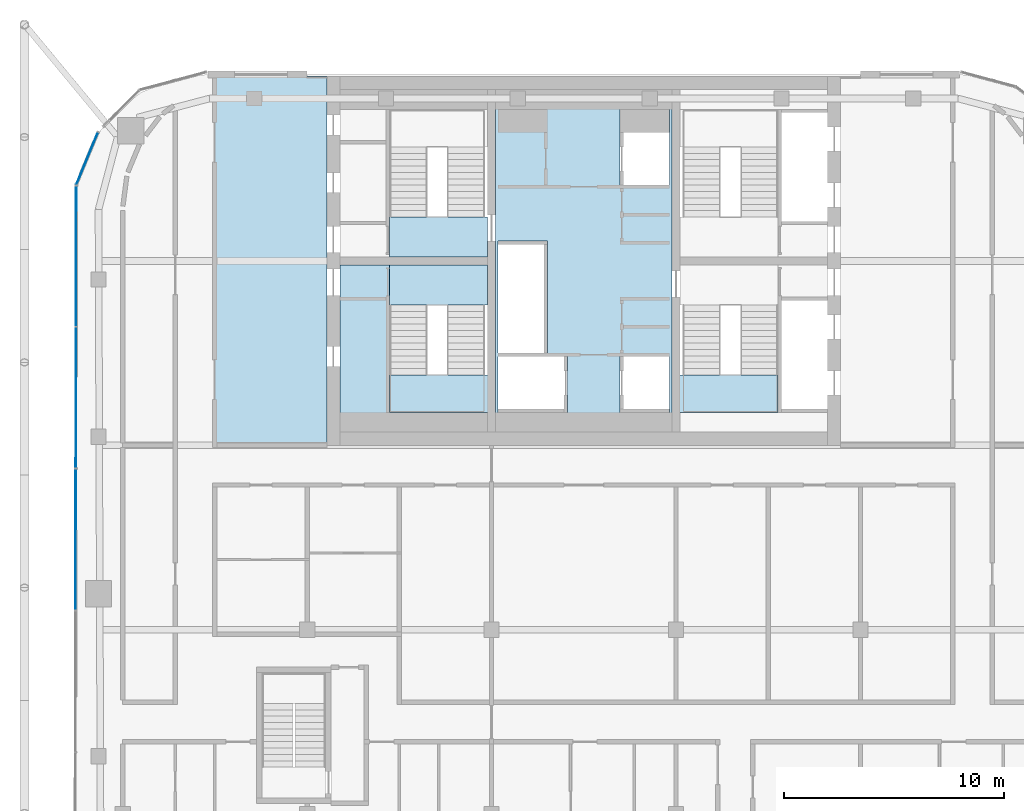
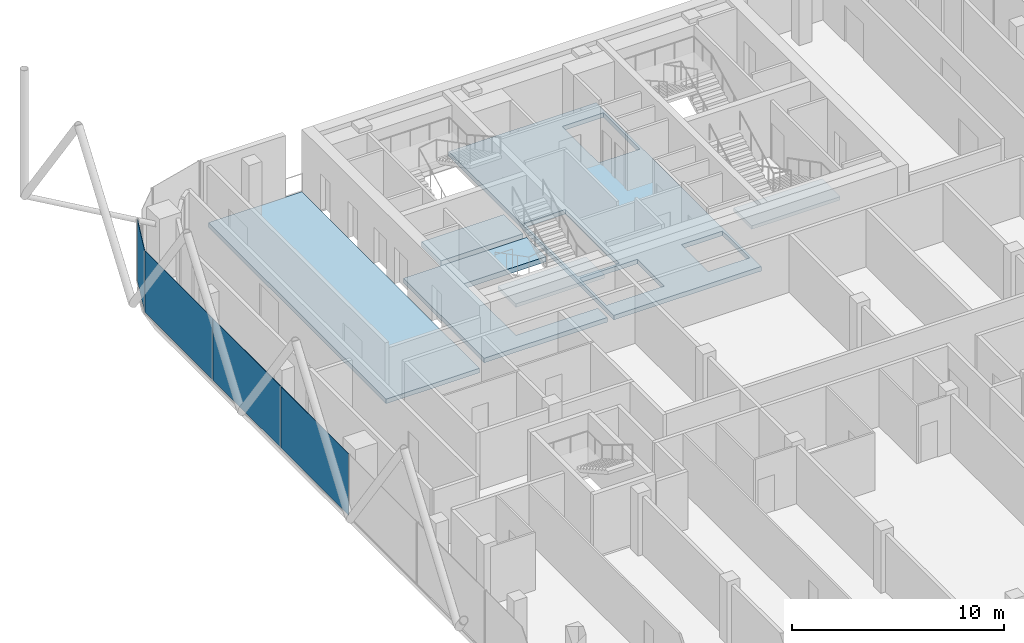
# One storey, part 18 of 27: 7 slabs, 4 plates, 4 elements without a shape of their own.
"""IFC4 building model written with IfcOpenShell, lengths in metres."""

from ifc_helpers import new_model, si_unit, direction, frame, origin, origin_2d, place, context, subcontext, project, spatial, polyline, rectangle, outline, extrude, material, layer, layer_set, type_object, element, aggregate, save


model = new_model("IFC4")

# Units and contexts
model_context = context("Model", 3, precision=1e-05, world=origin(), true_north=direction((0.0, 1.0)))
body_context = subcontext(model_context, "Body", "Model", "MODEL_VIEW")
ifc_project = project(units=[si_unit("LENGTHUNIT", "METRE"), si_unit("AREAUNIT", "SQUARE_METRE"), si_unit("VOLUMEUNIT", "CUBIC_METRE"), si_unit("PLANEANGLEUNIT", "RADIAN"), si_unit("MASSUNIT", "GRAM", prefix="KILO")], contexts=[model_context])

# Site, building, storey
site_placement = place(None, origin())
site = spatial("IfcSite", under=ifc_project, at=site_placement, CompositionType="ELEMENT")
building_placement = place(site_placement, origin())
building = spatial("IfcBuilding", under=site, at=building_placement, Name="Marenta Gate Hotel Tower", CompositionType="ELEMENT")
storey_placement = place(building_placement, frame((0.0, 0.0, 270.5)))
storey = spatial("IfcBuildingStorey", under=building, at=storey_placement, Name="L62", CompositionType="ELEMENT", Elevation=270.5)

# Slabs
ifc_material_1 = material(Name="Concrete C40", Category="concrete")
ifc_layer_1 = layer(ifc_material_1, 0.260009765625)
ifc_layer_set_1 = layer_set([ifc_layer_1], Name="Concrete C40")
slab_type_1 = type_object("IfcSlabType", Name="Core floor slab 260", PredefinedType="FLOOR", material=ifc_layer_set_1)
slab_1_placement = place(storey_placement, frame((0.0, 0.0, -0.260009765625)))
element("IfcSlab", 1, at=slab_1_placement, inside=storey, type_object=slab_type_1, Name="L62-CF-4", PredefinedType="FLOOR", context=body_context, shape_type="SweptSolid", body=[
    extrude(outline(polyline([(4.02490234375, 15.300048828125), (4.02490234375, 10.39990234375), (4.02490234375, 6.39990234375), (4.02490234375, 1.5), (4.02490234375, 0.60009765625), (-4.02490234375, 0.60009765625), (-4.02490234375, 1.5), (-4.02490234375, 6.39990234375), (-4.02490234375, 10.39990234375), (-4.02490234375, 15.300048828125), (-4.02490234375, 16.199951171875), (4.02490234375, 16.199951171875), (4.02490234375, 15.300048828125)]), holes=[polyline([(1.64990234375, 14.25), (1.64990234375, 11.85009765625), (1.800048828125, 11.85009765625), (3.89990234375, 11.85009765625), (3.89990234375, 14.25), (3.89990234375, 15.300048828125), (1.64990234375, 15.300048828125), (1.64990234375, 14.25)]), polyline([(3.89990234375, 1.64990234375), (3.89990234375, 4.050048828125), (1.800048828125, 4.050048828125), (1.64990234375, 4.050048828125), (1.64990234375, 1.64990234375), (1.64990234375, 1.5), (3.89990234375, 1.5), (3.89990234375, 1.64990234375)]), polyline([(-3.89990234375, 1.64990234375), (-3.89990234375, 1.5), (-0.89990234375, 1.5), (-0.75, 1.5), (-0.75, 4.050048828125), (-0.89990234375, 4.050048828125), (-3.89990234375, 4.050048828125), (-3.89990234375, 1.64990234375)]), polyline([(-1.800048828125, 4.199951171875), (-1.64990234375, 4.199951171875), (-1.64990234375, 9.14990234375), (-1.64990234375, 9.300048828125), (-3.89990234375, 9.300048828125), (-3.89990234375, 9.14990234375), (-3.89990234375, 6.75), (-3.89990234375, 6.60009765625), (-3.89990234375, 4.199951171875), (-1.800048828125, 4.199951171875)])]), origin(), (0.0, 0.0, 1.0), 0.260009765625),
])
slab_2_placement = place(storey_placement, frame((0.0, 0.0, -0.260009765625)))
element("IfcSlab", 2, at=slab_2_placement, inside=storey, type_object=slab_type_1, Name="L62-CF-5", PredefinedType="FLOOR", context=body_context, shape_type="SweptSolid", body=[
    extrude(outline(polyline([(-8.85009765625, 8.22509765625), (-8.85009765625, 8.10009765625), (-8.85009765625, 6.39990234375), (-8.85009765625, 1.5), (-4.375, 1.5), (-4.375, 0.60009765625), (-11.10009765625, 0.60009765625), (-11.10009765625, 8.22509765625), (-8.85009765625, 8.22509765625)])), origin(), (0.0, 0.0, 1.0), 0.260009765625),
])
slab_3_placement = place(storey_placement, frame((0.0, 0.0, -0.260009765625)))
element("IfcSlab", 3, at=slab_3_placement, inside=storey, type_object=slab_type_1, Name="L62-CF-7", PredefinedType="FLOOR", context=body_context, shape_type="SweptSolid", body=[
    extrude(outline(polyline([(-11.699951171875, 16.800048828125), (-11.699951171875, 0.0), (-16.800048828125, 0.0), (-16.800048828125, 16.800048828125), (-11.699951171875, 16.800048828125)])), origin(), (0.0, 0.0, 1.0), 0.260009765625),
])

# Stair, slab
ifc_material_2 = material(Name="Concrete C40", Category="concrete")
stair_type = type_object("IfcStairType", Name="Core exit stair 1700 wide", PredefinedType="HALF_TURN_STAIR", material=ifc_material_2)
stair_1_placement = place(storey_placement, origin())
stair_1 = element("IfcStair", 4, at=stair_1_placement, inside=storey, type_object=stair_type, Name="Exit stair 1", PredefinedType="HALF_TURN_STAIR")
ifc_material_3 = material(Name="Concrete C40", Category="concrete")
ifc_layer_2 = layer(ifc_material_3, 0.199951171875)
ifc_layer_set_2 = layer_set([ifc_layer_2], Name="Concrete C40")
slab_type_2 = type_object("IfcSlabType", Name="Core stair landing 200", PredefinedType="LANDING", material=ifc_layer_set_2)
slab_4_placement = place(storey_placement, frame((0.0, 0.0, 1.60009765625)))
slab_4 = element("IfcSlab", 5, at=slab_4_placement, type_object=slab_type_2, Name="SL-200 ST1 landing 1", PredefinedType="LANDING", context=body_context, shape_type="SweptSolid", body=[
    extrude(outline(polyline([(-8.85009765625, 1.5), (-4.02490234375, 1.5), (-4.02490234375, 3.2099609375), (-8.85009765625, 3.2099609375), (-8.85009765625, 1.5)])), origin(), (0.0, 0.0, 1.0), 0.199951171875),
])
aggregate(stair_1, [slab_4])

stair_2_placement = place(storey_placement, origin())
stair_2 = element("IfcStair", 6, at=stair_2_placement, inside=storey, type_object=stair_type, Name="Exit stair 3", PredefinedType="HALF_TURN_STAIR")
slab_5_placement = place(storey_placement, frame((0.0, 0.0, 1.60009765625)))
slab_5 = element("IfcSlab", 7, at=slab_5_placement, type_object=slab_type_2, Name="SL-200 ST3 landing 1", PredefinedType="LANDING", context=body_context, shape_type="SweptSolid", body=[
    extrude(outline(polyline([(4.02490234375, 1.5), (8.85009765625, 1.5), (8.85009765625, 3.2099609375), (4.02490234375, 3.2099609375), (4.02490234375, 1.5)])), origin(), (0.0, 0.0, 1.0), 0.199951171875),
])
aggregate(stair_2, [slab_5])

# Curtain wall, plate
ifc_material_4 = material(Name="Tinted insulated glass in bronze anodised frame", Category="glass")
ifc_layer_3 = layer(ifc_material_4, 0.1201171875)
ifc_layer_set_3 = layer_set([ifc_layer_3], Name="Tinted insulated glass in bronze anodised frame")
curtain_wall_type = type_object("IfcCurtainWallType", Name="Tower unitised curtain wall CW1", PredefinedType="NOTDEFINED", material=ifc_layer_set_3)
curtain_wall_1_placement = place(storey_placement, origin())
curtain_wall_1 = element("IfcCurtainWall", 8, at=curtain_wall_1_placement, inside=storey, type_object=curtain_wall_type, Name="CW1 run G03", PredefinedType="NOTDEFINED")
ifc_material_5 = material(Name="Tinted insulated glass", Category="glass")
ifc_layer_4 = layer(ifc_material_5, 0.028076171875)
ifc_layer_set_4 = layer_set([ifc_layer_4], Name="Tinted insulated glass")
plate_type = type_object("IfcPlateType", Name="Glass panel CW1 28 mm tinted insulated unit", PredefinedType="CURTAIN_PANEL", material=ifc_layer_set_4)
plate_1_placement = place(storey_placement, frame((-22.619384765625, 13.055908203125, 0.06005859375), z_axis=(0.0, 0.0, 1.0), x_axis=(-0.382666772044, -0.923886433266, 0.0)))
plate_1 = element("IfcPlate", 9, at=plate_1_placement, type_object=plate_type, Name="CW1 panel 1.1", PredefinedType="CURTAIN_PANEL", context=body_context, shape_type="SweptSolid", body=[
    extrude(rectangle(XDim=2.57568359375, YDim=0.028076171875, at=origin_2d()), origin(), (0.0, 0.0, 1.0), 3.5400390625),
])
aggregate(curtain_wall_1, [plate_1])

# Curtain wall, plates
curtain_wall_2_placement = place(storey_placement, origin())
curtain_wall_2 = element("IfcCurtainWall", 10, at=curtain_wall_2_placement, inside=storey, type_object=curtain_wall_type, Name="CW1 run G04", PredefinedType="NOTDEFINED")
plate_2_placement = place(storey_placement, frame((-23.117431640625, 8.62109375, 0.06005859375), z_axis=(0.0, 0.0, 1.0), x_axis=(-0.001566045546, -0.99999877375, 0.0)))
plate_2 = element("IfcPlate", 11, at=plate_2_placement, type_object=plate_type, Name="CW1 panel 1.1", PredefinedType="CURTAIN_PANEL", context=body_context, shape_type="SweptSolid", body=[
    extrude(rectangle(XDim=6.3701171875, YDim=0.028076171875, at=origin_2d()), origin(), (0.0, 0.0, 1.0), 3.5400390625),
])
plate_3_placement = place(storey_placement, frame((-23.12744140625, 2.17626953125, 0.06005859375), z_axis=(0.0, 0.0, 1.0), x_axis=(-0.001566045546, -0.99999877375, 0.0)))
plate_3 = element("IfcPlate", 12, at=plate_3_placement, type_object=plate_type, Name="CW1 panel 2.1", PredefinedType="CURTAIN_PANEL", context=body_context, shape_type="SweptSolid", body=[
    extrude(rectangle(XDim=6.39990234375, YDim=0.028076171875, at=origin_2d()), origin(), (0.0, 0.0, 1.0), 3.5400390625),
])
plate_4_placement = place(storey_placement, frame((-23.1376953125, -4.28369140625, 0.06005859375), z_axis=(0.0, 0.0, 1.0), x_axis=(-0.001566045546, -0.99999877375, 0.0)))
plate_4 = element("IfcPlate", 13, at=plate_4_placement, type_object=plate_type, Name="CW1 panel 3.1", PredefinedType="CURTAIN_PANEL", context=body_context, shape_type="SweptSolid", body=[
    extrude(rectangle(XDim=6.39990234375, YDim=0.028076171875, at=origin_2d()), origin(), (0.0, 0.0, 1.0), 3.5400390625),
])
aggregate(curtain_wall_2, [plate_2, plate_3, plate_4])

# Slabs
ifc_material_6 = material(Name="Concrete C40", Category="concrete")
ifc_layer_5 = layer(ifc_material_6, 0.300048828125)
ifc_layer_set_5 = layer_set([ifc_layer_5], Name="Concrete C40")
slab_type_3 = type_object("IfcSlabType", Name="Stair floor landing slab 300", PredefinedType="FLOOR", material=ifc_layer_set_5)
slab_6_placement = place(storey_placement, frame((0.0, 0.0, -0.300048828125)))
element("IfcSlab", 14, at=slab_6_placement, inside=storey, type_object=slab_type_3, Name="L62-CL-ST1-1", PredefinedType="FLOOR", context=body_context, shape_type="SweptSolid", body=[
    extrude(outline(polyline([(-4.375, 6.39990234375), (-8.85009765625, 6.39990234375), (-8.85009765625, 8.10009765625), (-8.85009765625, 8.22509765625), (-4.375, 8.22509765625), (-4.375, 6.39990234375)])), origin(), (0.0, 0.0, 1.0), 0.300048828125),
])
slab_7_placement = place(storey_placement, frame((0.0, 0.0, -0.300048828125)))
element("IfcSlab", 15, at=slab_7_placement, inside=storey, type_object=slab_type_3, Name="L62-CL-ST2-1", PredefinedType="FLOOR", context=body_context, shape_type="SweptSolid", body=[
    extrude(outline(polyline([(-4.375, 8.574951171875), (-8.85009765625, 8.574951171875), (-8.85009765625, 8.699951171875), (-8.85009765625, 10.39990234375), (-4.375, 10.39990234375), (-4.375, 8.574951171875)])), origin(), (0.0, 0.0, 1.0), 0.300048828125),
])

save(model, "model.ifc")
